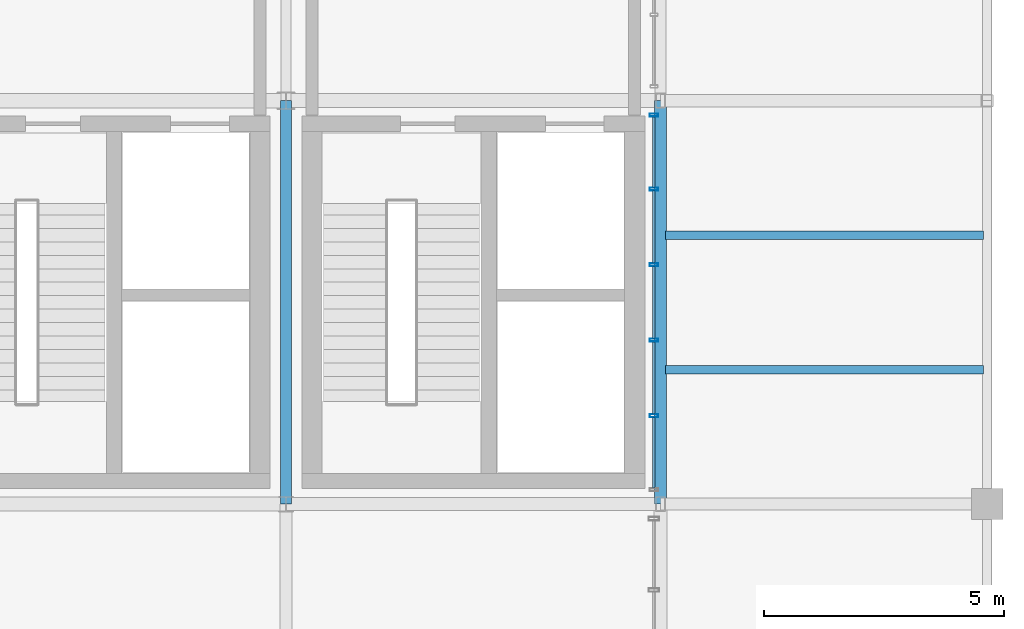
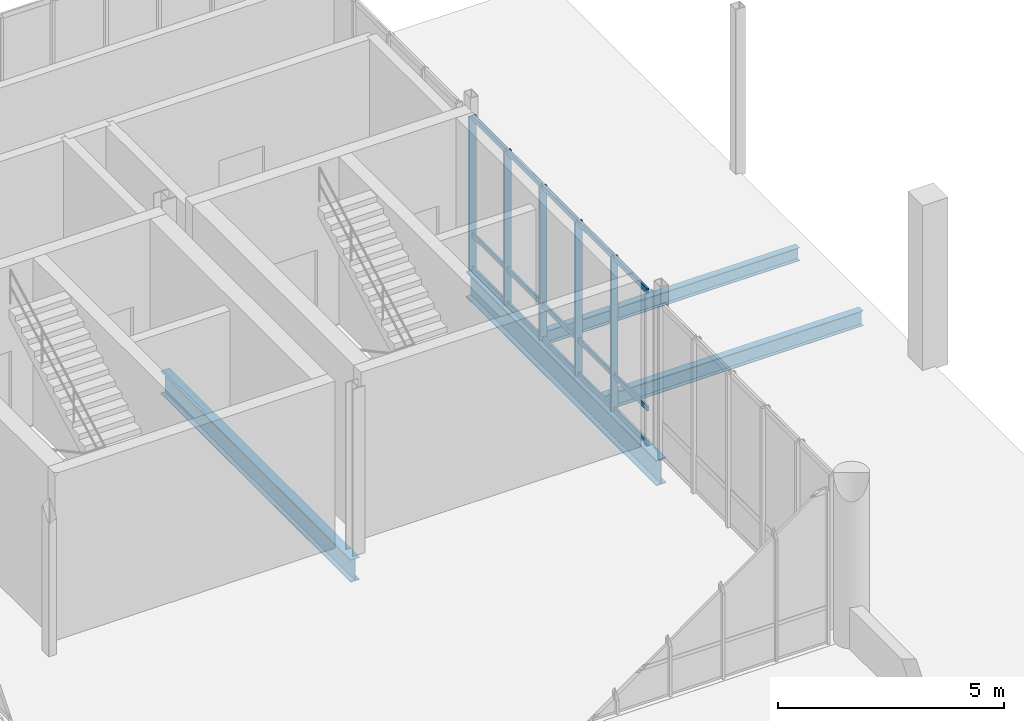
# One storey, part 44 of 68: 20 members, 4 beams, 1 element without a shape of its own.
"""IFC4 building model written with IfcOpenShell, lengths in metres."""

from ifc_helpers import new_model, si_unit, direction, frame, origin_with_axes, origin_2d_with_axis, place, context, subcontext, project, spatial, hollow_rectangle, i_section, extrude, material, material_profile, profile_set, type_object, element, aggregate, save


model = new_model("IFC4")

# Units and contexts
model_context = context("Model", 3, precision=1e-05, world=origin_with_axes(), true_north=direction((0.0, 1.0)))
body_context = subcontext(model_context, "Body", "Model", "MODEL_VIEW")
ifc_project = project(units=[si_unit("LENGTHUNIT", "METRE"), si_unit("AREAUNIT", "SQUARE_METRE"), si_unit("VOLUMEUNIT", "CUBIC_METRE"), si_unit("PLANEANGLEUNIT", "RADIAN"), si_unit("MASSUNIT", "GRAM", prefix="KILO"), si_unit("THERMODYNAMICTEMPERATUREUNIT", "KELVIN")], contexts=[model_context])

# Site, building, storey
site_placement = place(None, origin_with_axes())
site = spatial("IfcSite", under=ifc_project, at=site_placement, CompositionType="ELEMENT")
building_placement = place(site_placement, origin_with_axes())
building = spatial("IfcBuilding", under=site, at=building_placement, Name="Montbau Bow Law Courts", CompositionType="ELEMENT")
storey_placement = place(building_placement, frame((0.0, 0.0, 20.4), z_axis=(0.0, 0.0, 1.0), x_axis=(1.0, 0.0, 0.0)))
storey = spatial("IfcBuildingStorey", under=building, at=storey_placement, Name="L04", CompositionType="ELEMENT", Elevation=20.4)

# Beams
ifc_material_1 = material(Name="Steel CSA G40.21 Grade 350W (350 MPa)", Category="steel")
ifc_material_profile_1 = material_profile(ifc_material_1, i_section(OverallWidth=0.254, OverallDepth=0.688, WebThickness=0.0131, FlangeThickness=0.0211, at=origin_2d_with_axis()), Name="W690X152", Category="Main", Priority=0)
ifc_profile_set_1 = profile_set([ifc_material_profile_1], Name="Steel CSA G40.21 Grade 350W (350 MPa)")
beam_type_1 = type_object("IfcBeamType", Name="B-FLR-04", PredefinedType="BEAM", material=ifc_profile_set_1)
beam_1_placement = place(None, frame((162.6, 86.4, 19.806), z_axis=(0.0, 1.0, 0.0), x_axis=(-1.0, 0.0, 0.0)))
element("IfcBeam", 1, at=beam_1_placement, inside=storey, type_object=beam_type_1, Name="BM-L04-S1279:bm2_1282", PredefinedType="BEAM", context=body_context, shape_type="SweptSolid", body=[
    extrude(i_section(OverallWidth=0.254, OverallDepth=0.688, WebThickness=0.0131, FlangeThickness=0.0211, at=origin_2d_with_axis()), origin_with_axes(), (0.0, 0.0, 1.0), 8.4),
])
ifc_material_profile_2 = material_profile(ifc_material_1, i_section(OverallWidth=0.229, OverallDepth=0.612, WebThickness=0.0119, FlangeThickness=0.0196, at=origin_2d_with_axis()), Name="W610X125", Category="Main", Priority=0)
ifc_profile_set_2 = profile_set([ifc_material_profile_2], Name="Steel CSA G40.21 Grade 350W (350 MPa)")
beam_type_2 = type_object("IfcBeamType", Name="B-FLR-05", PredefinedType="BEAM", material=ifc_profile_set_2)
beam_2_placement = place(None, frame((154.8, 86.4, 19.894), z_axis=(0.0, 1.0, 0.0), x_axis=(-1.0, 0.0, 0.0)))
element("IfcBeam", 2, at=beam_2_placement, inside=storey, type_object=beam_type_2, Name="BM-L04-S1275:bm2_1278", PredefinedType="BEAM", context=body_context, shape_type="SweptSolid", body=[
    extrude(i_section(OverallWidth=0.229, OverallDepth=0.612, WebThickness=0.0119, FlangeThickness=0.0196, at=origin_2d_with_axis()), origin_with_axes(), (0.0, 0.0, 1.0), 8.4),
])
ifc_material_profile_3 = material_profile(ifc_material_1, i_section(OverallWidth=0.179, OverallDepth=0.41, WebThickness=0.0088, FlangeThickness=0.0144, at=origin_2d_with_axis()), Name="W410X67", Category="Main", Priority=0)
ifc_profile_set_3 = profile_set([ifc_material_profile_3], Name="Steel CSA G40.21 Grade 350W (350 MPa)")
beam_type_3 = type_object("IfcBeamType", Name="B-JST-02", PredefinedType="JOIST", material=ifc_profile_set_3)
beam_3_placement = place(None, frame((162.703, 89.2, 19.945), z_axis=(1.0, 0.0, 0.0), x_axis=(0.0, 1.0, 0.0)))
element("IfcBeam", 3, at=beam_3_placement, inside=storey, type_object=beam_type_3, Name="JST-L04-S0689:jst2_0689", PredefinedType="JOIST", context=body_context, shape_type="SweptSolid", body=[
    extrude(i_section(OverallWidth=0.179, OverallDepth=0.41, WebThickness=0.0088, FlangeThickness=0.0144, at=origin_2d_with_axis()), origin_with_axes(), (0.0, 0.0, 1.0), 6.617),
])
ifc_material_profile_4 = material_profile(ifc_material_1, i_section(OverallWidth=0.172, OverallDepth=0.358, WebThickness=0.0079, FlangeThickness=0.0131, at=origin_2d_with_axis()), Name="W360X57", Category="Main", Priority=0)
ifc_profile_set_4 = profile_set([ifc_material_profile_4], Name="Steel CSA G40.21 Grade 350W (350 MPa)")
beam_type_4 = type_object("IfcBeamType", Name="B-JST-03", PredefinedType="JOIST", material=ifc_profile_set_4)
beam_4_placement = place(None, frame((162.703, 92.0, 19.971), z_axis=(1.0, 0.0, 0.0), x_axis=(0.0, 1.0, 0.0)))
element("IfcBeam", 4, at=beam_4_placement, inside=storey, type_object=beam_type_4, Name="JST-L04-S0690:jst2_0690", PredefinedType="JOIST", context=body_context, shape_type="SweptSolid", body=[
    extrude(i_section(OverallWidth=0.172, OverallDepth=0.358, WebThickness=0.0079, FlangeThickness=0.0131, at=origin_2d_with_axis()), origin_with_axes(), (0.0, 0.0, 1.0), 6.617),
])

# Curtain wall, members
ifc_material_2 = material(Name="Thermally Broken Extruded Aluminium AA 6063-T6", Category="aluminium")
curtain_wall_type = type_object("IfcCurtainWallType", Name="CW-NCK-01", PredefinedType="NOTDEFINED", material=ifc_material_2)
curtain_wall_placement = place(None, frame((162.46, 86.668, 20.4), z_axis=(0.0, 0.0, 1.0), x_axis=(1.0, 0.0, 0.0)))
curtain_wall = element("IfcCurtainWall", 5, at=curtain_wall_placement, inside=storey, type_object=curtain_wall_type, Name="CW-L04-331:cw_0331", PredefinedType="NOTDEFINED")
ifc_material_profile_5 = material_profile(ifc_material_2, hollow_rectangle(XDim=0.065, YDim=0.18, WallThickness=0.005, InnerFilletRadius=0.01, OuterFilletRadius=0.005, at=origin_2d_with_axis()), Name="CWM-180X65", Category="Main", Priority=0)
ifc_profile_set_5 = profile_set([ifc_material_profile_5], Name="Thermally Broken Extruded Aluminium AA 6063-T6")
member_type_1 = type_object("IfcMemberType", Name="M-MUL-02", PredefinedType="MULLION", material=ifc_profile_set_5)
member_1_placement = place(None, frame((162.46, 88.241, 20.4), z_axis=(0.0, 0.0, 1.0), x_axis=(0.0, 1.0, 0.0)))
member_1 = element("IfcMember", 6, at=member_1_placement, type_object=member_type_1, Name="CW-L04-331-M02:cw_0331_M02", PredefinedType="MULLION", context=body_context, shape_type="SweptSolid", body=[
    extrude(hollow_rectangle(XDim=0.065, YDim=0.18, WallThickness=0.005, InnerFilletRadius=0.01, OuterFilletRadius=0.005, at=origin_2d_with_axis()), origin_with_axes(), (0.0, 0.0, 1.0), 4.14),
])
member_2_placement = place(None, frame((162.46, 89.814, 20.4), z_axis=(0.0, 0.0, 1.0), x_axis=(0.0, 1.0, 0.0)))
member_2 = element("IfcMember", 7, at=member_2_placement, type_object=member_type_1, Name="CW-L04-331-M03:cw_0331_M03", PredefinedType="MULLION", context=body_context, shape_type="SweptSolid", body=[
    extrude(hollow_rectangle(XDim=0.065, YDim=0.18, WallThickness=0.005, InnerFilletRadius=0.01, OuterFilletRadius=0.005, at=origin_2d_with_axis()), origin_with_axes(), (0.0, 0.0, 1.0), 4.14),
])
member_3_placement = place(None, frame((162.46, 91.386, 20.4), z_axis=(0.0, 0.0, 1.0), x_axis=(0.0, 1.0, 0.0)))
member_3 = element("IfcMember", 8, at=member_3_placement, type_object=member_type_1, Name="CW-L04-331-M04:cw_0331_M04", PredefinedType="MULLION", context=body_context, shape_type="SweptSolid", body=[
    extrude(hollow_rectangle(XDim=0.065, YDim=0.18, WallThickness=0.005, InnerFilletRadius=0.01, OuterFilletRadius=0.005, at=origin_2d_with_axis()), origin_with_axes(), (0.0, 0.0, 1.0), 4.14),
])
member_4_placement = place(None, frame((162.46, 92.959, 20.4), z_axis=(0.0, 0.0, 1.0), x_axis=(0.0, 1.0, 0.0)))
member_4 = element("IfcMember", 9, at=member_4_placement, type_object=member_type_1, Name="CW-L04-331-M05:cw_0331_M05", PredefinedType="MULLION", context=body_context, shape_type="SweptSolid", body=[
    extrude(hollow_rectangle(XDim=0.065, YDim=0.18, WallThickness=0.005, InnerFilletRadius=0.01, OuterFilletRadius=0.005, at=origin_2d_with_axis()), origin_with_axes(), (0.0, 0.0, 1.0), 4.14),
])
member_5_placement = place(None, frame((162.46, 94.499, 20.4), z_axis=(0.0, 0.0, 1.0), x_axis=(0.0, 1.0, 0.0)))
member_5 = element("IfcMember", 10, at=member_5_placement, type_object=member_type_1, Name="CW-L04-331-M06:cw_0331_M06", PredefinedType="MULLION", context=body_context, shape_type="SweptSolid", body=[
    extrude(hollow_rectangle(XDim=0.065, YDim=0.18, WallThickness=0.005, InnerFilletRadius=0.01, OuterFilletRadius=0.005, at=origin_2d_with_axis()), origin_with_axes(), (0.0, 0.0, 1.0), 4.14),
])
ifc_material_profile_6 = material_profile(ifc_material_2, hollow_rectangle(XDim=0.055, YDim=0.14, WallThickness=0.004, InnerFilletRadius=0.008, OuterFilletRadius=0.004, at=origin_2d_with_axis()), Name="CWT-140X55", Category="Main", Priority=0)
ifc_profile_set_6 = profile_set([ifc_material_profile_6], Name="Thermally Broken Extruded Aluminium AA 6063-T6")
member_type_2 = type_object("IfcMemberType", Name="M-TRN-02", PredefinedType="USERDEFINED", material=ifc_profile_set_6)
member_6_placement = place(None, frame((162.46, 86.736, 20.427), z_axis=(0.0, 1.0, 0.0), x_axis=(-1.0, 0.0, 0.0)))
member_6 = element("IfcMember", 11, at=member_6_placement, type_object=member_type_2, Name="CW-L04-331-T01-1:cw_0331_T01_1", ObjectType="TRANSOM", PredefinedType="USERDEFINED", context=body_context, shape_type="SweptSolid", body=[
    extrude(hollow_rectangle(XDim=0.055, YDim=0.14, WallThickness=0.004, InnerFilletRadius=0.008, OuterFilletRadius=0.004, at=origin_2d_with_axis()), origin_with_axes(), (0.0, 0.0, 1.0), 1.47),
])
member_7_placement = place(None, frame((162.46, 86.736, 21.35), z_axis=(0.0, 1.0, 0.0), x_axis=(-1.0, 0.0, 0.0)))
member_7 = element("IfcMember", 12, at=member_7_placement, type_object=member_type_2, Name="CW-L04-331-T01-2:cw_0331_T01_2", ObjectType="TRANSOM", PredefinedType="USERDEFINED", context=body_context, shape_type="SweptSolid", body=[
    extrude(hollow_rectangle(XDim=0.055, YDim=0.14, WallThickness=0.004, InnerFilletRadius=0.008, OuterFilletRadius=0.004, at=origin_2d_with_axis()), origin_with_axes(), (0.0, 0.0, 1.0), 1.47),
])
member_8_placement = place(None, frame((162.46, 86.736, 24.512), z_axis=(0.0, 1.0, 0.0), x_axis=(-1.0, 0.0, 0.0)))
member_8 = element("IfcMember", 13, at=member_8_placement, type_object=member_type_2, Name="CW-L04-331-T01-3:cw_0331_T01_3", ObjectType="TRANSOM", PredefinedType="USERDEFINED", context=body_context, shape_type="SweptSolid", body=[
    extrude(hollow_rectangle(XDim=0.055, YDim=0.14, WallThickness=0.004, InnerFilletRadius=0.008, OuterFilletRadius=0.004, at=origin_2d_with_axis()), origin_with_axes(), (0.0, 0.0, 1.0), 1.47),
])
member_9_placement = place(None, frame((162.46, 88.275, 20.427), z_axis=(0.0, 1.0, 0.0), x_axis=(-1.0, 0.0, 0.0)))
member_9 = element("IfcMember", 14, at=member_9_placement, type_object=member_type_2, Name="CW-L04-331-T02-1:cw_0331_T02_1", ObjectType="TRANSOM", PredefinedType="USERDEFINED", context=body_context, shape_type="SweptSolid", body=[
    extrude(hollow_rectangle(XDim=0.055, YDim=0.14, WallThickness=0.004, InnerFilletRadius=0.008, OuterFilletRadius=0.004, at=origin_2d_with_axis()), origin_with_axes(), (0.0, 0.0, 1.0), 1.504),
])
member_10_placement = place(None, frame((162.46, 88.275, 21.35), z_axis=(0.0, 1.0, 0.0), x_axis=(-1.0, 0.0, 0.0)))
member_10 = element("IfcMember", 15, at=member_10_placement, type_object=member_type_2, Name="CW-L04-331-T02-2:cw_0331_T02_2", ObjectType="TRANSOM", PredefinedType="USERDEFINED", context=body_context, shape_type="SweptSolid", body=[
    extrude(hollow_rectangle(XDim=0.055, YDim=0.14, WallThickness=0.004, InnerFilletRadius=0.008, OuterFilletRadius=0.004, at=origin_2d_with_axis()), origin_with_axes(), (0.0, 0.0, 1.0), 1.504),
])
member_11_placement = place(None, frame((162.46, 88.275, 24.512), z_axis=(0.0, 1.0, 0.0), x_axis=(-1.0, 0.0, 0.0)))
member_11 = element("IfcMember", 16, at=member_11_placement, type_object=member_type_2, Name="CW-L04-331-T02-3:cw_0331_T02_3", ObjectType="TRANSOM", PredefinedType="USERDEFINED", context=body_context, shape_type="SweptSolid", body=[
    extrude(hollow_rectangle(XDim=0.055, YDim=0.14, WallThickness=0.004, InnerFilletRadius=0.008, OuterFilletRadius=0.004, at=origin_2d_with_axis()), origin_with_axes(), (0.0, 0.0, 1.0), 1.504),
])
member_12_placement = place(None, frame((162.46, 89.848, 20.427), z_axis=(0.0, 1.0, 0.0), x_axis=(-1.0, 0.0, 0.0)))
member_12 = element("IfcMember", 17, at=member_12_placement, type_object=member_type_2, Name="CW-L04-331-T03-1:cw_0331_T03_1", ObjectType="TRANSOM", PredefinedType="USERDEFINED", context=body_context, shape_type="SweptSolid", body=[
    extrude(hollow_rectangle(XDim=0.055, YDim=0.14, WallThickness=0.004, InnerFilletRadius=0.008, OuterFilletRadius=0.004, at=origin_2d_with_axis()), origin_with_axes(), (0.0, 0.0, 1.0), 1.504),
])
member_13_placement = place(None, frame((162.46, 89.848, 21.35), z_axis=(0.0, 1.0, 0.0), x_axis=(-1.0, 0.0, 0.0)))
member_13 = element("IfcMember", 18, at=member_13_placement, type_object=member_type_2, Name="CW-L04-331-T03-2:cw_0331_T03_2", ObjectType="TRANSOM", PredefinedType="USERDEFINED", context=body_context, shape_type="SweptSolid", body=[
    extrude(hollow_rectangle(XDim=0.055, YDim=0.14, WallThickness=0.004, InnerFilletRadius=0.008, OuterFilletRadius=0.004, at=origin_2d_with_axis()), origin_with_axes(), (0.0, 0.0, 1.0), 1.504),
])
member_14_placement = place(None, frame((162.46, 89.848, 24.512), z_axis=(0.0, 1.0, 0.0), x_axis=(-1.0, 0.0, 0.0)))
member_14 = element("IfcMember", 19, at=member_14_placement, type_object=member_type_2, Name="CW-L04-331-T03-3:cw_0331_T03_3", ObjectType="TRANSOM", PredefinedType="USERDEFINED", context=body_context, shape_type="SweptSolid", body=[
    extrude(hollow_rectangle(XDim=0.055, YDim=0.14, WallThickness=0.004, InnerFilletRadius=0.008, OuterFilletRadius=0.004, at=origin_2d_with_axis()), origin_with_axes(), (0.0, 0.0, 1.0), 1.504),
])
member_15_placement = place(None, frame((162.46, 91.42, 20.427), z_axis=(0.0, 1.0, 0.0), x_axis=(-1.0, 0.0, 0.0)))
member_15 = element("IfcMember", 20, at=member_15_placement, type_object=member_type_2, Name="CW-L04-331-T04-1:cw_0331_T04_1", ObjectType="TRANSOM", PredefinedType="USERDEFINED", context=body_context, shape_type="SweptSolid", body=[
    extrude(hollow_rectangle(XDim=0.055, YDim=0.14, WallThickness=0.004, InnerFilletRadius=0.008, OuterFilletRadius=0.004, at=origin_2d_with_axis()), origin_with_axes(), (0.0, 0.0, 1.0), 1.505),
])
member_16_placement = place(None, frame((162.46, 91.42, 21.35), z_axis=(0.0, 1.0, 0.0), x_axis=(-1.0, 0.0, 0.0)))
member_16 = element("IfcMember", 21, at=member_16_placement, type_object=member_type_2, Name="CW-L04-331-T04-2:cw_0331_T04_2", ObjectType="TRANSOM", PredefinedType="USERDEFINED", context=body_context, shape_type="SweptSolid", body=[
    extrude(hollow_rectangle(XDim=0.055, YDim=0.14, WallThickness=0.004, InnerFilletRadius=0.008, OuterFilletRadius=0.004, at=origin_2d_with_axis()), origin_with_axes(), (0.0, 0.0, 1.0), 1.505),
])
member_17_placement = place(None, frame((162.46, 91.42, 24.512), z_axis=(0.0, 1.0, 0.0), x_axis=(-1.0, 0.0, 0.0)))
member_17 = element("IfcMember", 22, at=member_17_placement, type_object=member_type_2, Name="CW-L04-331-T04-3:cw_0331_T04_3", ObjectType="TRANSOM", PredefinedType="USERDEFINED", context=body_context, shape_type="SweptSolid", body=[
    extrude(hollow_rectangle(XDim=0.055, YDim=0.14, WallThickness=0.004, InnerFilletRadius=0.008, OuterFilletRadius=0.004, at=origin_2d_with_axis()), origin_with_axes(), (0.0, 0.0, 1.0), 1.505),
])
member_18_placement = place(None, frame((162.46, 92.993, 20.427), z_axis=(0.0, 1.0, 0.0), x_axis=(-1.0, 0.0, 0.0)))
member_18 = element("IfcMember", 23, at=member_18_placement, type_object=member_type_2, Name="CW-L04-331-T05-1:cw_0331_T05_1", ObjectType="TRANSOM", PredefinedType="USERDEFINED", context=body_context, shape_type="SweptSolid", body=[
    extrude(hollow_rectangle(XDim=0.055, YDim=0.14, WallThickness=0.004, InnerFilletRadius=0.008, OuterFilletRadius=0.004, at=origin_2d_with_axis()), origin_with_axes(), (0.0, 0.0, 1.0), 1.472),
])
member_19_placement = place(None, frame((162.46, 92.993, 21.35), z_axis=(0.0, 1.0, 0.0), x_axis=(-1.0, 0.0, 0.0)))
member_19 = element("IfcMember", 24, at=member_19_placement, type_object=member_type_2, Name="CW-L04-331-T05-2:cw_0331_T05_2", ObjectType="TRANSOM", PredefinedType="USERDEFINED", context=body_context, shape_type="SweptSolid", body=[
    extrude(hollow_rectangle(XDim=0.055, YDim=0.14, WallThickness=0.004, InnerFilletRadius=0.008, OuterFilletRadius=0.004, at=origin_2d_with_axis()), origin_with_axes(), (0.0, 0.0, 1.0), 1.472),
])
member_20_placement = place(None, frame((162.46, 92.993, 24.512), z_axis=(0.0, 1.0, 0.0), x_axis=(-1.0, 0.0, 0.0)))
member_20 = element("IfcMember", 25, at=member_20_placement, type_object=member_type_2, Name="CW-L04-331-T05-3:cw_0331_T05_3", ObjectType="TRANSOM", PredefinedType="USERDEFINED", context=body_context, shape_type="SweptSolid", body=[
    extrude(hollow_rectangle(XDim=0.055, YDim=0.14, WallThickness=0.004, InnerFilletRadius=0.008, OuterFilletRadius=0.004, at=origin_2d_with_axis()), origin_with_axes(), (0.0, 0.0, 1.0), 1.472),
])
aggregate(curtain_wall, [member_1, member_2, member_3, member_4, member_5, member_6, member_7, member_8, member_9, member_10, member_11, member_12, member_13, member_14, member_15, member_16, member_17, member_18, member_19, member_20])

save(model, "model.ifc")
